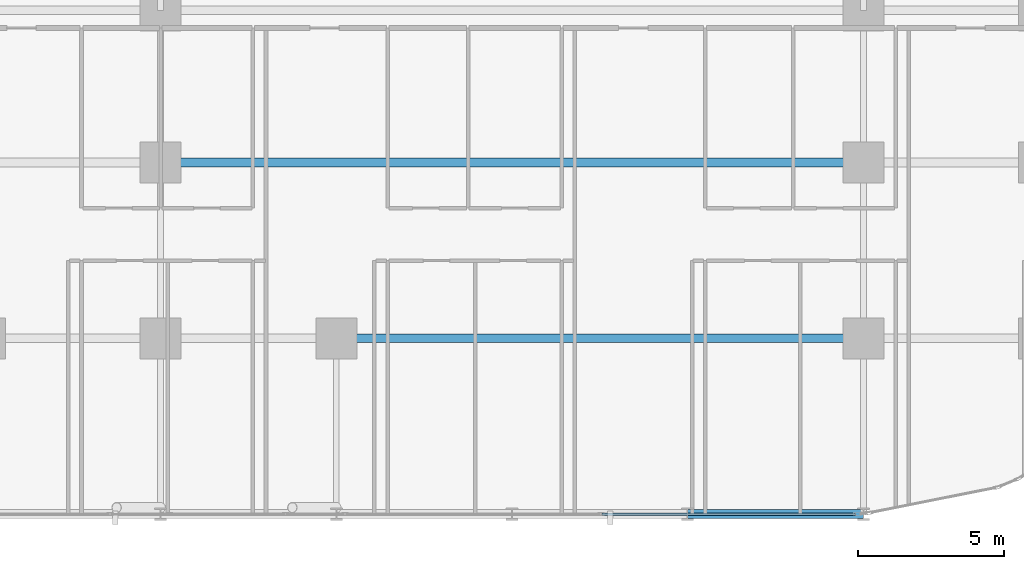
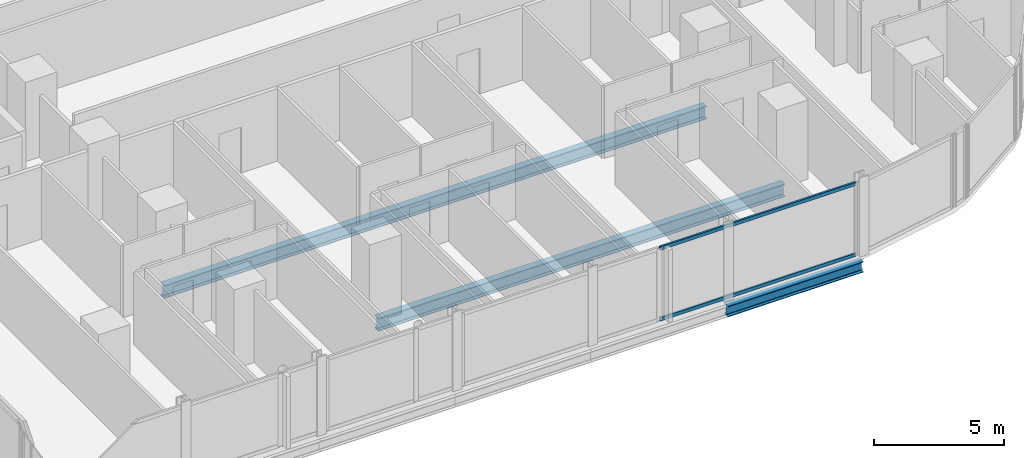
# One storey, part 8 of 34: 3 beams, 2 members, 1 element without a shape of its own.
"""IFC4 building model written with IfcOpenShell, lengths in metres."""

from ifc_helpers import new_model, si_unit, direction, frame, origin, origin_2d, place, context, subcontext, project, spatial, hollow_rectangle, i_section, extrude, material, layer, layer_set, material_profile, profile_set, type_object, element, aggregate, save


model = new_model("IFC4")

# Units and contexts
model_context = context("Model", 3, precision=1e-05, world=origin(), true_north=direction((0.0, 1.0)))
body_context = subcontext(model_context, "Body", "Model", "MODEL_VIEW")
ifc_project = project(units=[si_unit("LENGTHUNIT", "METRE"), si_unit("AREAUNIT", "SQUARE_METRE"), si_unit("VOLUMEUNIT", "CUBIC_METRE"), si_unit("PLANEANGLEUNIT", "RADIAN"), si_unit("MASSUNIT", "GRAM", prefix="KILO")], contexts=[model_context])

# Site, building, storey
site_placement = place(None, origin())
site = spatial("IfcSite", under=ifc_project, at=site_placement, CompositionType="ELEMENT")
building_placement = place(site_placement, origin())
building = spatial("IfcBuilding", under=site, at=building_placement, Name="Keshet Zoharim Tower", CompositionType="ELEMENT")
storey_placement = place(building_placement, frame((0.0, 0.0, 38.800048828125)))
storey = spatial("IfcBuildingStorey", under=building, at=storey_placement, Name="L08", CompositionType="ELEMENT", Elevation=38.800048828125)

# Beams
ifc_material_1 = material(Name="Steel S355", Category="steel")
ifc_material_profile_1 = material_profile(ifc_material_1, i_section(OverallWidth=0.300048828125, OverallDepth=0.60009765625, WebThickness=0.015380859375, FlangeThickness=0.030029296875, FilletRadius=0.027099609375, at=origin_2d()), Name="HEB600")
ifc_profile_set_1 = profile_set([ifc_material_profile_1], Name="Steel S355")
beam_type_1 = type_object("IfcBeamType", Name="BM-LNG-HB600", PredefinedType="BEAM", material=ifc_profile_set_1)
beam_1_placement = place(storey_placement, frame((39.0, 6.699951171875, -0.614990234375), z_axis=(1.0, 0.0, 0.0), x_axis=(0.0, 1.0, 0.0)))
element("IfcBeam", 1, at=beam_1_placement, inside=storey, type_object=beam_type_1, Name="L08 Primary Girder X-009", PredefinedType="BEAM", context=body_context, shape_type="SweptSolid", body=[
    extrude(i_section(OverallWidth=0.300048828125, OverallDepth=0.60009765625, WebThickness=0.015380859375, FlangeThickness=0.030029296875, FilletRadius=0.027099609375, at=origin_2d()), origin(), (0.0, 0.0, 1.0), 18.0),
])
beam_2_placement = place(storey_placement, frame((33.0, 12.699951171875, -0.614990234375), z_axis=(1.0, 0.0, 0.0), x_axis=(0.0, 1.0, 0.0)))
element("IfcBeam", 2, at=beam_2_placement, inside=storey, type_object=beam_type_1, Name="L08 Primary Girder X-012", PredefinedType="BEAM", context=body_context, shape_type="SweptSolid", body=[
    extrude(i_section(OverallWidth=0.300048828125, OverallDepth=0.60009765625, WebThickness=0.015380859375, FlangeThickness=0.030029296875, FilletRadius=0.027099609375, at=origin_2d()), origin(), (0.0, 0.0, 1.0), 24.0),
])
ifc_material_profile_2 = material_profile(ifc_material_1, i_section(OverallWidth=0.300048828125, OverallDepth=0.5, WebThickness=0.014404296875, FlangeThickness=0.028076171875, FilletRadius=0.027099609375, at=origin_2d()), Name="HEB500")
ifc_profile_set_2 = profile_set([ifc_material_profile_2], Name="Steel S355")
beam_type_2 = type_object("IfcBeamType", Name="BM-WEB-HB500", PredefinedType="BEAM", material=ifc_profile_set_2)
beam_3_placement = place(storey_placement, frame((51.0, 0.699951171875, -0.56494140625), z_axis=(1.0, 0.0, 0.0), x_axis=(0.0, 1.0, 0.0)))
element("IfcBeam", 3, at=beam_3_placement, inside=storey, type_object=beam_type_2, Name="L08 Primary Girder X-005", PredefinedType="BEAM", context=body_context, shape_type="SweptSolid", body=[
    extrude(i_section(OverallWidth=0.300048828125, OverallDepth=0.5, WebThickness=0.014404296875, FlangeThickness=0.028076171875, FilletRadius=0.027099609375, at=origin_2d()), origin(), (0.0, 0.0, 1.0), 6.0),
])

# Curtain wall, members
ifc_material_2 = material(Name="Aluminium 6063-T6", Category="aluminium")
ifc_layer = layer(ifc_material_2, 0.179931640625)
ifc_layer_set = layer_set([ifc_layer], Name="Aluminium 6063-T6")
curtain_wall_type = type_object("IfcCurtainWallType", Name="CW-SYS-01", PredefinedType="NOTDEFINED", material=ifc_layer_set)
curtain_wall_placement = place(storey_placement, origin())
curtain_wall = element("IfcCurtainWall", 4, at=curtain_wall_placement, inside=storey, type_object=curtain_wall_type, Name="L08 Unitised Curtain Wall 26", PredefinedType="NOTDEFINED")
ifc_material_profile_3 = material_profile(ifc_material_2, hollow_rectangle(XDim=0.0849609375, YDim=0.159912109375, WallThickness=0.00439453125, at=origin_2d()), Name="TRN-85x160")
ifc_profile_set_3 = profile_set([ifc_material_profile_3], Name="Aluminium 6063-T6")
member_type = type_object("IfcMemberType", Name="CWT-T16", PredefinedType="USERDEFINED", material=ifc_profile_set_3)
member_1_placement = place(storey_placement, frame((56.73291015625, 0.699951171875, 0.034912109375), z_axis=(-1.0, 0.0, 0.0), x_axis=(0.0, -1.0, 0.0)))
member_1 = element("IfcMember", 5, at=member_1_placement, type_object=member_type, Name="CW-01 transom 1.1", ObjectType="TRANSOM", PredefinedType="USERDEFINED", context=body_context, shape_type="SweptSolid", body=[
    extrude(hollow_rectangle(XDim=0.0849609375, YDim=0.159912109375, WallThickness=0.00439453125, at=origin_2d()), origin(), (0.0, 0.0, 1.0), 8.6650390625),
])
member_2_placement = place(storey_placement, frame((56.73291015625, 0.699951171875, 3.349853515625), z_axis=(-1.0, 0.0, 0.0), x_axis=(0.0, -1.0, 0.0)))
member_2 = element("IfcMember", 6, at=member_2_placement, type_object=member_type, Name="CW-01 transom 1.2", ObjectType="TRANSOM", PredefinedType="USERDEFINED", context=body_context, shape_type="SweptSolid", body=[
    extrude(hollow_rectangle(XDim=0.0849609375, YDim=0.159912109375, WallThickness=0.00439453125, at=origin_2d()), origin(), (0.0, 0.0, 1.0), 8.6650390625),
])
aggregate(curtain_wall, [member_1, member_2])

save(model, "model.ifc")
